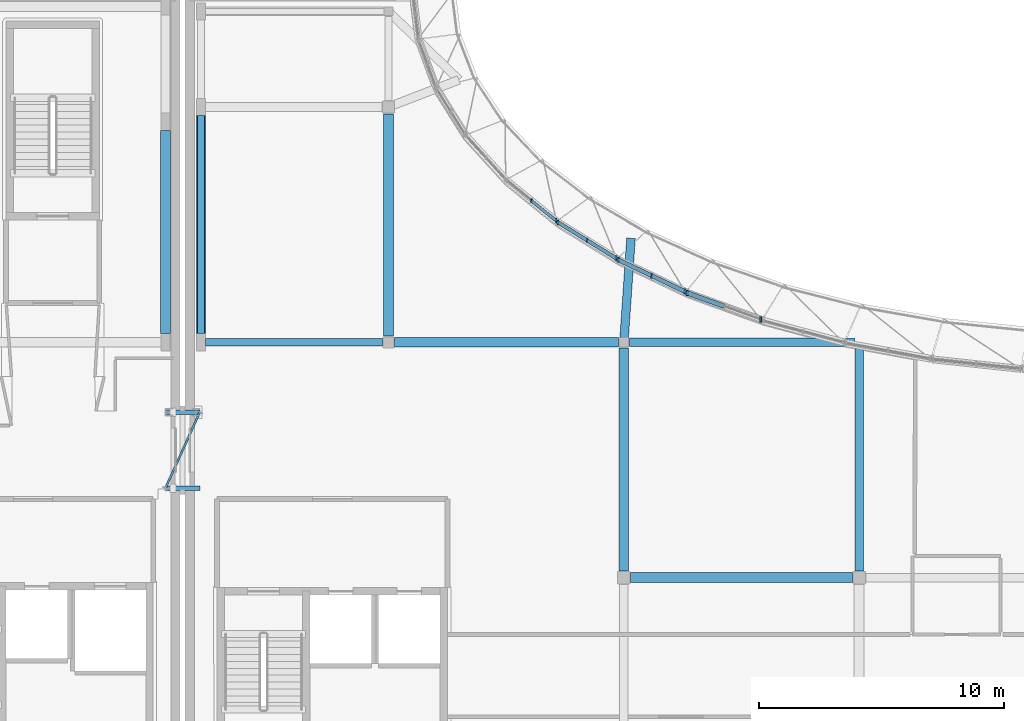
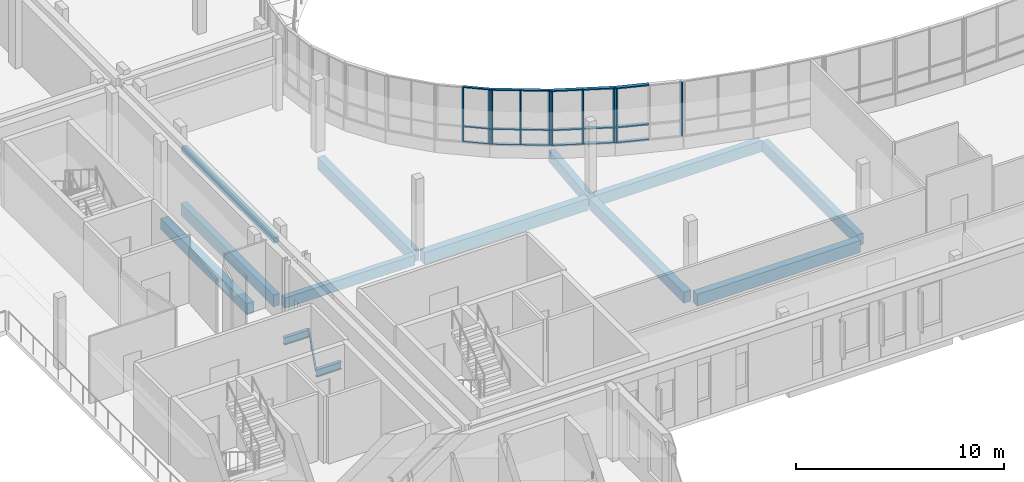
# One storey, part 11 of 84: 29 members, 13 beams, 4 elements without a shape of their own.
"""IFC4 building model written with IfcOpenShell, lengths in metres."""

from ifc_helpers import new_model, si_unit, direction, frame, origin, origin_2d, place, context, subcontext, project, spatial, rectangle, hollow_rectangle, i_section, extrude, material, material_profile, profile_set, type_object, element, aggregate, save


model = new_model("IFC4")

# Units and contexts
model_context = context("Model", 3, precision=1e-05, world=origin(), true_north=direction((0.0, 1.0)))
body_context = subcontext(model_context, "Body", "Model", "MODEL_VIEW")
ifc_project = project(units=[si_unit("LENGTHUNIT", "METRE"), si_unit("AREAUNIT", "SQUARE_METRE"), si_unit("VOLUMEUNIT", "CUBIC_METRE"), si_unit("PLANEANGLEUNIT", "RADIAN"), si_unit("MASSUNIT", "GRAM", prefix="KILO")], contexts=[model_context])

# Site, building, storey
site_placement = place(None, origin())
site = spatial("IfcSite", under=ifc_project, at=site_placement, CompositionType="ELEMENT")
building_placement = place(site_placement, origin())
building = spatial("IfcBuilding", under=site, at=building_placement, Name="Mzevani Central Library", CompositionType="ELEMENT")
storey_placement = place(building_placement, frame((0.0, 0.0, 5.39990234375)))
storey = spatial("IfcBuildingStorey", under=building, at=storey_placement, Name="L01", CompositionType="ELEMENT", Elevation=5.39990234375)

# Beams
ifc_material_1 = material(Name="Concrete C35/45", Category="concrete")
ifc_material_profile_1 = material_profile(ifc_material_1, rectangle(XDim=0.300048828125, YDim=0.60009765625, at=origin_2d()), Name="RC B300x600")
ifc_profile_set_1 = profile_set([ifc_material_profile_1], Name="Concrete C35/45")
beam_type_1 = type_object("IfcBeamType", Name="Beam RC 300x600", PredefinedType="BEAM", material=ifc_profile_set_1)
beam_1_placement = place(storey_placement, frame((46.925048828125, 61.60009765625, -0.559814453125), z_axis=(1.0, 0.0, 0.0), x_axis=(0.0, 1.0, 0.0)))
element("IfcBeam", 1, at=beam_1_placement, inside=storey, type_object=beam_type_1, Name="L01 V1 Girder B-03 (22)", PredefinedType="BEAM", context=body_context, shape_type="SweptSolid", body=[
    extrude(rectangle(XDim=0.300048828125, YDim=0.60009765625, at=origin_2d()), origin(), (0.0, 0.0, 1.0), 7.224853515625),
])
ifc_material_profile_2 = material_profile(ifc_material_1, rectangle(XDim=0.35009765625, YDim=0.64990234375, at=origin_2d()), Name="RC B350x650")
ifc_profile_set_2 = profile_set([ifc_material_profile_2], Name="Concrete C35/45")
beam_type_2 = type_object("IfcBeamType", Name="Beam RC 350x650", PredefinedType="BEAM", material=ifc_profile_set_2)
beam_2_placement = place(storey_placement, frame((64.22509765625, 61.60009765625, -0.5849609375), z_axis=(1.0, 0.0, 0.0), x_axis=(0.0, 1.0, 0.0)))
element("IfcBeam", 2, at=beam_2_placement, inside=storey, type_object=beam_type_2, Name="L01 V1 Girder B-05 (24)", PredefinedType="BEAM", context=body_context, shape_type="SweptSolid", body=[
    extrude(rectangle(XDim=0.35009765625, YDim=0.64990234375, at=origin_2d()), origin(), (0.0, 0.0, 1.0), 9.199951171875),
])
beam_3_placement = place(storey_placement, frame((73.60009765625, 52.27490234375, -0.5849609375), z_axis=(0.0, 1.0, 0.0), x_axis=(-1.0, 0.0, 0.0)))
element("IfcBeam", 3, at=beam_3_placement, inside=storey, type_object=beam_type_2, Name="L01 V1 Frame Beam B-05 (48)", PredefinedType="BEAM", context=body_context, shape_type="SweptSolid", body=[
    extrude(rectangle(XDim=0.35009765625, YDim=0.64990234375, at=origin_2d()), origin(), (0.0, 0.0, 1.0), 9.150146484375),
])
beam_4_placement = place(storey_placement, frame((64.2939453125, 65.843994140625, -0.5849609375), z_axis=(-0.069097528107, -0.997609909539, 0.0), x_axis=(0.997609909539, -0.069097528107, 0.0)))
element("IfcBeam", 4, at=beam_4_placement, inside=storey, type_object=beam_type_2, Name="L01 V1 Court Ring Beam 5", PredefinedType="BEAM", context=body_context, shape_type="SweptSolid", body=[
    extrude(rectangle(XDim=0.35009765625, YDim=0.64990234375, at=origin_2d()), origin(), (0.0, 0.0, 1.0), 4.254150390625),
])
ifc_material_profile_3 = material_profile(ifc_material_1, rectangle(XDim=0.35009765625, YDim=0.699951171875, at=origin_2d()), Name="RC B350x700")
ifc_profile_set_3 = profile_set([ifc_material_profile_3], Name="Concrete C35/45")
beam_type_3 = type_object("IfcBeamType", Name="Beam RC 350x700", PredefinedType="BEAM", material=ifc_profile_set_3)
beam_5_placement = place(storey_placement, frame((46.75, 61.949951171875, -0.60986328125), z_axis=(0.0, 1.0, 0.0), x_axis=(-1.0, 0.0, 0.0)))
element("IfcBeam", 5, at=beam_5_placement, inside=storey, type_object=beam_type_3, Name="L01 V1 Frame Beam B-06 (41)", PredefinedType="BEAM", context=body_context, shape_type="SweptSolid", body=[
    extrude(rectangle(XDim=0.35009765625, YDim=0.699951171875, at=origin_2d()), origin(), (0.0, 0.0, 1.0), 8.900146484375),
])
ifc_material_profile_4 = material_profile(ifc_material_1, rectangle(XDim=0.39990234375, YDim=0.64990234375, at=origin_2d()), Name="RC B400x650")
ifc_profile_set_4 = profile_set([ifc_material_profile_4], Name="Concrete C35/45")
beam_type_4 = type_object("IfcBeamType", Name="Beam RC 400x650", PredefinedType="BEAM", material=ifc_profile_set_4)
beam_6_placement = place(storey_placement, frame((64.0, 52.27490234375, -0.5849609375), z_axis=(0.0, 1.0, 0.0), x_axis=(-1.0, 0.0, 0.0)))
element("IfcBeam", 6, at=beam_6_placement, inside=storey, type_object=beam_type_4, Name="L01 V1 Frame Beam B-07 (46)", PredefinedType="BEAM", context=body_context, shape_type="SweptSolid", body=[
    extrude(rectangle(XDim=0.39990234375, YDim=0.64990234375, at=origin_2d()), origin(), (0.0, 0.0, 1.0), 9.10009765625),
])
beam_7_placement = place(storey_placement, frame((45.300048828125, 61.949951171875, -0.5849609375), z_axis=(0.0, 1.0, 0.0), x_axis=(-1.0, 0.0, 0.0)))
element("IfcBeam", 7, at=beam_7_placement, inside=storey, type_object=beam_type_4, Name="L01 V5 Frame Beam B-07 (970)", PredefinedType="BEAM", context=body_context, shape_type="SweptSolid", body=[
    extrude(rectangle(XDim=0.39990234375, YDim=0.64990234375, at=origin_2d()), origin(), (0.0, 0.0, 1.0), 8.300048828125),
])
ifc_material_profile_5 = material_profile(ifc_material_1, rectangle(XDim=0.39990234375, YDim=0.699951171875, at=origin_2d()), Name="RC B400x700")
ifc_profile_set_5 = profile_set([ifc_material_profile_5], Name="Concrete C35/45")
beam_type_5 = type_object("IfcBeamType", Name="Beam RC 400x700", PredefinedType="BEAM", material=ifc_profile_set_5)
beam_8_placement = place(storey_placement, frame((64.27490234375, 52.0, -0.60986328125), z_axis=(1.0, 0.0, 0.0), x_axis=(0.0, 1.0, 0.0)))
element("IfcBeam", 8, at=beam_8_placement, inside=storey, type_object=beam_type_5, Name="L01 V1 Girder B-08 (15)", PredefinedType="BEAM", context=body_context, shape_type="SweptSolid", body=[
    extrude(rectangle(XDim=0.39990234375, YDim=0.699951171875, at=origin_2d()), origin(), (0.0, 0.0, 1.0), 9.050048828125),
])
beam_9_placement = place(storey_placement, frame((54.64990234375, 61.60009765625, -0.60986328125), z_axis=(1.0, 0.0, 0.0), x_axis=(0.0, 1.0, 0.0)))
element("IfcBeam", 9, at=beam_9_placement, inside=storey, type_object=beam_type_5, Name="L01 V1 Girder B-08 (23)", PredefinedType="BEAM", context=body_context, shape_type="SweptSolid", body=[
    extrude(rectangle(XDim=0.39990234375, YDim=0.699951171875, at=origin_2d()), origin(), (0.0, 0.0, 1.0), 9.125),
])
beam_10_placement = place(storey_placement, frame((54.39990234375, 61.85009765625, -0.60986328125), z_axis=(0.0, 1.0, 0.0), x_axis=(-1.0, 0.0, 0.0)))
element("IfcBeam", 10, at=beam_10_placement, inside=storey, type_object=beam_type_5, Name="L01 V1 Frame Beam B-08 (43)", PredefinedType="BEAM", context=body_context, shape_type="SweptSolid", body=[
    extrude(rectangle(XDim=0.39990234375, YDim=0.699951171875, at=origin_2d()), origin(), (0.0, 0.0, 1.0), 9.074951171875),
])
ifc_material_2 = material(Name="Steel S355J2", Category="steel")
ifc_material_profile_6 = material_profile(ifc_material_2, i_section(OverallWidth=0.18994140625, OverallDepth=0.449951171875, WebThickness=0.009521484375, FlangeThickness=0.0146484375, FilletRadius=0.02099609375, at=origin_2d()), Name="IPE 450")
ifc_profile_set_6 = profile_set([ifc_material_profile_6], Name="Steel S355J2")
beam_type_6 = type_object("IfcBeamType", Name="Bridge Primary Girder IPE 450", PredefinedType="BEAM", material=ifc_profile_set_6)
for number, where, z_axis, x_axis, name in (
    (11, (45.300048828125, 55.64990234375, -0.5498046875), (1.0, 0.0, 0.0), (0.0, 1.0, 0.0), "L01 West Reading Seismic Passage L01 Girder 1"),
    (12, (45.300048828125, 58.75, -0.5498046875), (1.0, 0.0, 0.0), (0.0, 1.0, 0.0), "L01 West Reading Seismic Passage L01 Girder 2"),
):
    element("IfcBeam", number, at=place(storey_placement, frame(where, z_axis=z_axis, x_axis=x_axis)), inside=storey, type_object=beam_type_6, Name=name, PredefinedType="BEAM", context=body_context, shape_type="SweptSolid", body=[
        extrude(i_section(OverallWidth=0.18994140625, OverallDepth=0.449951171875, WebThickness=0.009521484375, FlangeThickness=0.0146484375, FilletRadius=0.02099609375, at=origin_2d()), origin(), (0.0, 0.0, 1.0), 1.39990234375),
    ])

# Member
ifc_material_profile_7 = material_profile(ifc_material_2, hollow_rectangle(XDim=0.080078125, YDim=0.159912109375, WallThickness=0.008056640625, at=origin_2d()), Name="RHS 160x80x8.0")
ifc_profile_set_7 = profile_set([ifc_material_profile_7], Name="Steel S355J2")
member_type_1 = type_object("IfcMemberType", Name="Bridge Truss Chord RHS 160x80", PredefinedType="CHORD", material=ifc_profile_set_7)
member_1_placement = place(storey_placement, frame((45.300048828125, 55.64990234375, -0.3798828125), z_axis=(0.411552106839, 0.911386231713, 0.0), x_axis=(-0.911386231713, 0.411552106839, 0.0)))
element("IfcMember", 13, at=member_1_placement, inside=storey, type_object=member_type_1, Name="L01 West Reading Seismic Passage L01 Diaphragm Chord", PredefinedType="CHORD", context=body_context, shape_type="SweptSolid", body=[
    extrude(hollow_rectangle(XDim=0.080078125, YDim=0.159912109375, WallThickness=0.008056640625, at=origin_2d()), origin(), (0.0, 0.0, 1.0), 3.401611328125),
])

# Curtain wall, members
ifc_material_3 = material(Name="Thermally broken aluminium and Low-E triple glazing", Category="aluminium")
curtain_wall_type_1 = type_object("IfcCurtainWallType", Name="Elliptical Court Unitised Curtain Wall", PredefinedType="NOTDEFINED", material=ifc_material_3)
curtain_wall_1_placement = place(storey_placement, origin())
curtain_wall_1 = element("IfcCurtainWall", 14, at=curtain_wall_1_placement, inside=storey, type_object=curtain_wall_type_1, Name="L01 Elliptical Court Curtain Wall 29", PredefinedType="NOTDEFINED")
ifc_material_4 = material(Name="Thermally broken aluminium AW-6060", Category="aluminium")
ifc_material_profile_8 = material_profile(ifc_material_4, rectangle(XDim=0.06005859375, YDim=0.159912109375, at=origin_2d()), Name="ALU M60x160")
ifc_profile_set_8 = profile_set([ifc_material_profile_8], Name="Thermally broken aluminium AW-6060")
member_type_2 = type_object("IfcMemberType", Name="CW Mullion 60x160", PredefinedType="MULLION", material=ifc_profile_set_8)
member_2_placement = place(storey_placement, frame((60.22998046875, 67.380615234375, 0.72021484375), z_axis=(0.0, 0.0, 1.0), x_axis=(1.0, 0.0, 0.0)))
member_2 = element("IfcMember", 15, at=member_2_placement, type_object=member_type_2, Name="L01 Elliptical Court Curtain Wall 29 Mullion 2", PredefinedType="MULLION", context=body_context, shape_type="SweptSolid", body=[
    extrude(rectangle(XDim=0.06005859375, YDim=0.159912109375, at=origin_2d()), origin(), (0.0, 0.0, 1.0), 3.199951171875),
])
member_3_placement = place(storey_placement, frame((61.22314453125, 66.57421875, 0.72021484375), z_axis=(0.0, 0.0, 1.0), x_axis=(1.0, 0.0, 0.0)))
member_3 = element("IfcMember", 16, at=member_3_placement, type_object=member_type_2, Name="L01 Elliptical Court Curtain Wall 29 Mullion 3", PredefinedType="MULLION", context=body_context, shape_type="SweptSolid", body=[
    extrude(rectangle(XDim=0.06005859375, YDim=0.159912109375, at=origin_2d()), origin(), (0.0, 0.0, 1.0), 3.199951171875),
])

curtain_wall_2_placement = place(storey_placement, origin())
curtain_wall_2 = element("IfcCurtainWall", 17, at=curtain_wall_2_placement, inside=storey, type_object=curtain_wall_type_1, Name="L01 Elliptical Court Curtain Wall 30", PredefinedType="NOTDEFINED")
ifc_material_profile_9 = material_profile(ifc_material_4, rectangle(XDim=0.06005859375, YDim=0.179931640625, at=origin_2d()), Name="ALU M60x180")
ifc_profile_set_9 = profile_set([ifc_material_profile_9], Name="Thermally broken aluminium AW-6060")
member_type_3 = type_object("IfcMemberType", Name="CW Mullion 60x180", PredefinedType="MULLION", material=ifc_profile_set_9)
member_4_placement = place(storey_placement, frame((61.3125, 66.49658203125, 0.72021484375), z_axis=(0.0, 0.0, 1.0), x_axis=(1.0, 0.0, 0.0)))
member_4 = element("IfcMember", 18, at=member_4_placement, type_object=member_type_3, Name="L01 Elliptical Court Curtain Wall 30 Mullion 1", PredefinedType="MULLION", context=body_context, shape_type="SweptSolid", body=[
    extrude(rectangle(XDim=0.06005859375, YDim=0.179931640625, at=origin_2d()), origin(), (0.0, 0.0, 1.0), 3.199951171875),
])
member_5_placement = place(storey_placement, frame((62.494873046875, 65.76513671875, 0.72021484375), z_axis=(0.0, 0.0, 1.0), x_axis=(1.0, 0.0, 0.0)))
member_5 = element("IfcMember", 19, at=member_5_placement, type_object=member_type_3, Name="L01 Elliptical Court Curtain Wall 30 Mullion 2", PredefinedType="MULLION", context=body_context, shape_type="SweptSolid", body=[
    extrude(rectangle(XDim=0.06005859375, YDim=0.179931640625, at=origin_2d()), origin(), (0.0, 0.0, 1.0), 3.199951171875),
])
member_6_placement = place(storey_placement, frame((63.677001953125, 65.03369140625, 0.72021484375), z_axis=(0.0, 0.0, 1.0), x_axis=(1.0, 0.0, 0.0)))
member_6 = element("IfcMember", 20, at=member_6_placement, type_object=member_type_3, Name="L01 Elliptical Court Curtain Wall 30 Mullion 3", PredefinedType="MULLION", context=body_context, shape_type="SweptSolid", body=[
    extrude(rectangle(XDim=0.06005859375, YDim=0.179931640625, at=origin_2d()), origin(), (0.0, 0.0, 1.0), 3.199951171875),
])

curtain_wall_type_2 = type_object("IfcCurtainWallType", Name="Reading Hall Northlight Curtain Wall", PredefinedType="NOTDEFINED", material=ifc_material_3)
curtain_wall_3_placement = place(storey_placement, origin())
curtain_wall_3 = element("IfcCurtainWall", 21, at=curtain_wall_3_placement, inside=storey, type_object=curtain_wall_type_2, Name="L01 Elliptical Court Curtain Wall 31", PredefinedType="NOTDEFINED")
ifc_material_profile_10 = material_profile(ifc_material_4, rectangle(XDim=0.06494140625, YDim=0.199951171875, at=origin_2d()), Name="ALU M65x200")
ifc_profile_set_10 = profile_set([ifc_material_profile_10], Name="Thermally broken aluminium AW-6060")
member_type_4 = type_object("IfcMemberType", Name="CW Mullion 65x200", PredefinedType="MULLION", material=ifc_profile_set_10)
member_7_placement = place(storey_placement, frame((63.7763671875, 64.964599609375, 0.72021484375), z_axis=(0.0, 0.0, 1.0), x_axis=(1.0, 0.0, 0.0)))
member_7 = element("IfcMember", 22, at=member_7_placement, type_object=member_type_4, Name="L01 Elliptical Court Curtain Wall 31 Mullion 1", PredefinedType="MULLION", context=body_context, shape_type="SweptSolid", body=[
    extrude(rectangle(XDim=0.06494140625, YDim=0.199951171875, at=origin_2d()), origin(), (0.0, 0.0, 1.0), 3.199951171875),
])
member_8_placement = place(storey_placement, frame((65.127685546875, 64.321533203125, 0.72021484375), z_axis=(0.0, 0.0, 1.0), x_axis=(1.0, 0.0, 0.0)))
member_8 = element("IfcMember", 23, at=member_8_placement, type_object=member_type_4, Name="L01 Elliptical Court Curtain Wall 31 Mullion 2", PredefinedType="MULLION", context=body_context, shape_type="SweptSolid", body=[
    extrude(rectangle(XDim=0.06494140625, YDim=0.199951171875, at=origin_2d()), origin(), (0.0, 0.0, 1.0), 3.199951171875),
])
member_9_placement = place(storey_placement, frame((66.47900390625, 63.67822265625, 0.72021484375), z_axis=(0.0, 0.0, 1.0), x_axis=(1.0, 0.0, 0.0)))
member_9 = element("IfcMember", 24, at=member_9_placement, type_object=member_type_4, Name="L01 Elliptical Court Curtain Wall 31 Mullion 3", PredefinedType="MULLION", context=body_context, shape_type="SweptSolid", body=[
    extrude(rectangle(XDim=0.06494140625, YDim=0.199951171875, at=origin_2d()), origin(), (0.0, 0.0, 1.0), 3.199951171875),
])

curtain_wall_4_placement = place(storey_placement, origin())
curtain_wall_4 = element("IfcCurtainWall", 25, at=curtain_wall_4_placement, inside=storey, type_object=curtain_wall_type_1, Name="L01 Elliptical Court Curtain Wall 32", PredefinedType="NOTDEFINED")
ifc_material_profile_11 = material_profile(ifc_material_4, rectangle(XDim=0.070068359375, YDim=0.219970703125, at=origin_2d()), Name="ALU M70x220")
ifc_profile_set_11 = profile_set([ifc_material_profile_11], Name="Thermally broken aluminium AW-6060")
member_type_5 = type_object("IfcMemberType", Name="CW Mullion 70x220", PredefinedType="MULLION", material=ifc_profile_set_11)
member_10_placement = place(storey_placement, frame((66.58740234375, 63.616943359375, 0.72021484375), z_axis=(0.0, 0.0, 1.0), x_axis=(1.0, 0.0, 0.0)))
member_10 = element("IfcMember", 26, at=member_10_placement, type_object=member_type_5, Name="L01 Elliptical Court Curtain Wall 32 Mullion 1", PredefinedType="MULLION", context=body_context, shape_type="SweptSolid", body=[
    extrude(rectangle(XDim=0.070068359375, YDim=0.219970703125, at=origin_2d()), origin(), (0.0, 0.0, 1.0), 3.199951171875),
])
member_11_placement = place(storey_placement, frame((69.582275390625, 62.531005859375, 0.72021484375), z_axis=(0.0, 0.0, 1.0), x_axis=(1.0, 0.0, 0.0)))
member_11 = element("IfcMember", 27, at=member_11_placement, type_object=member_type_5, Name="L01 Elliptical Court Curtain Wall 32 Mullion 3", PredefinedType="MULLION", context=body_context, shape_type="SweptSolid", body=[
    extrude(rectangle(XDim=0.070068359375, YDim=0.219970703125, at=origin_2d()), origin(), (0.0, 0.0, 1.0), 3.199951171875),
])

# Member
ifc_material_profile_12 = material_profile(ifc_material_4, rectangle(XDim=0.1298828125, YDim=0.06005859375, at=origin_2d()), Name="ALU T60x130")
ifc_profile_set_12 = profile_set([ifc_material_profile_12], Name="Thermally broken aluminium AW-6060")
member_type_6 = type_object("IfcMemberType", Name="CW Transom 60x130", PredefinedType="USERDEFINED", material=ifc_profile_set_12)
member_12_placement = place(storey_placement, frame((60.22998046875, 67.380615234375, 0.72021484375), z_axis=(0.776243179452, -0.63043360186, 0.0), x_axis=(0.63043360186, 0.776243179452, 0.0)))
member_12 = element("IfcMember", 28, at=member_12_placement, type_object=member_type_6, Name="L01 Elliptical Court Curtain Wall 29 Transom 4", ObjectType="TRANSOM", PredefinedType="USERDEFINED", context=body_context, shape_type="SweptSolid", body=[
    extrude(rectangle(XDim=0.1298828125, YDim=0.06005859375, at=origin_2d()), origin(), (0.0, 0.0, 1.0), 1.329345703125),
])

member_13_placement = place(storey_placement, frame((60.22998046875, 67.380615234375, 1.6201171875), z_axis=(0.776243179452, -0.63043360186, 0.0), x_axis=(0.63043360186, 0.776243179452, 0.0)))
member_13 = element("IfcMember", 29, at=member_13_placement, type_object=member_type_6, Name="L01 Elliptical Court Curtain Wall 29 Transom 5", ObjectType="TRANSOM", PredefinedType="USERDEFINED", context=body_context, shape_type="SweptSolid", body=[
    extrude(rectangle(XDim=0.1298828125, YDim=0.06005859375, at=origin_2d()), origin(), (0.0, 0.0, 1.0), 1.329345703125),
])

member_14_placement = place(storey_placement, frame((60.22998046875, 67.380615234375, 3.920166015625), z_axis=(0.776243179452, -0.63043360186, 0.0), x_axis=(0.63043360186, 0.776243179452, 0.0)))
member_14 = element("IfcMember", 30, at=member_14_placement, type_object=member_type_6, Name="L01 Elliptical Court Curtain Wall 29 Transom 6", ObjectType="TRANSOM", PredefinedType="USERDEFINED", context=body_context, shape_type="SweptSolid", body=[
    extrude(rectangle(XDim=0.1298828125, YDim=0.06005859375, at=origin_2d()), origin(), (0.0, 0.0, 1.0), 1.329345703125),
])

aggregate(curtain_wall_1, [member_2, member_3, member_12, member_13, member_14])

ifc_material_profile_13 = material_profile(ifc_material_4, rectangle(XDim=0.14990234375, YDim=0.06005859375, at=origin_2d()), Name="ALU T60x150")
ifc_profile_set_13 = profile_set([ifc_material_profile_13], Name="Thermally broken aluminium AW-6060")
member_type_7 = type_object("IfcMemberType", Name="CW Transom 60x150", PredefinedType="USERDEFINED", material=ifc_profile_set_13)
member_15_placement = place(storey_placement, frame((61.27001953125, 66.52294921875, 0.72021484375), z_axis=(0.850398776908, -0.526138689162, 0.0), x_axis=(0.526138689162, 0.850398776908, 0.0)))
member_15 = element("IfcMember", 31, at=member_15_placement, type_object=member_type_7, Name="L01 Elliptical Court Curtain Wall 30 Transom 1", ObjectType="TRANSOM", PredefinedType="USERDEFINED", context=body_context, shape_type="SweptSolid", body=[
    extrude(rectangle(XDim=0.14990234375, YDim=0.06005859375, at=origin_2d()), origin(), (0.0, 0.0, 1.0), 1.4404296875),
])

member_16_placement = place(storey_placement, frame((61.27001953125, 66.52294921875, 1.6201171875), z_axis=(0.850398776908, -0.526138689162, 0.0), x_axis=(0.526138689162, 0.850398776908, 0.0)))
member_16 = element("IfcMember", 32, at=member_16_placement, type_object=member_type_7, Name="L01 Elliptical Court Curtain Wall 30 Transom 2", ObjectType="TRANSOM", PredefinedType="USERDEFINED", context=body_context, shape_type="SweptSolid", body=[
    extrude(rectangle(XDim=0.14990234375, YDim=0.06005859375, at=origin_2d()), origin(), (0.0, 0.0, 1.0), 1.4404296875),
])

member_17_placement = place(storey_placement, frame((61.27001953125, 66.52294921875, 3.920166015625), z_axis=(0.850398776908, -0.526138689162, 0.0), x_axis=(0.526138689162, 0.850398776908, 0.0)))
member_17 = element("IfcMember", 33, at=member_17_placement, type_object=member_type_7, Name="L01 Elliptical Court Curtain Wall 30 Transom 3", ObjectType="TRANSOM", PredefinedType="USERDEFINED", context=body_context, shape_type="SweptSolid", body=[
    extrude(rectangle(XDim=0.14990234375, YDim=0.06005859375, at=origin_2d()), origin(), (0.0, 0.0, 1.0), 1.4404296875),
])

member_18_placement = place(storey_placement, frame((62.494873046875, 65.76513671875, 0.72021484375), z_axis=(0.850351844492, -0.526214538538, 0.0), x_axis=(0.526214538538, 0.850351844492, 0.0)))
member_18 = element("IfcMember", 34, at=member_18_placement, type_object=member_type_7, Name="L01 Elliptical Court Curtain Wall 30 Transom 4", ObjectType="TRANSOM", PredefinedType="USERDEFINED", context=body_context, shape_type="SweptSolid", body=[
    extrude(rectangle(XDim=0.14990234375, YDim=0.06005859375, at=origin_2d()), origin(), (0.0, 0.0, 1.0), 1.440185546875),
])

member_19_placement = place(storey_placement, frame((62.494873046875, 65.76513671875, 1.6201171875), z_axis=(0.850351844492, -0.526214538538, 0.0), x_axis=(0.526214538538, 0.850351844492, 0.0)))
member_19 = element("IfcMember", 35, at=member_19_placement, type_object=member_type_7, Name="L01 Elliptical Court Curtain Wall 30 Transom 5", ObjectType="TRANSOM", PredefinedType="USERDEFINED", context=body_context, shape_type="SweptSolid", body=[
    extrude(rectangle(XDim=0.14990234375, YDim=0.06005859375, at=origin_2d()), origin(), (0.0, 0.0, 1.0), 1.440185546875),
])

member_20_placement = place(storey_placement, frame((62.494873046875, 65.76513671875, 3.920166015625), z_axis=(0.850351844492, -0.526214538538, 0.0), x_axis=(0.526214538538, 0.850351844492, 0.0)))
member_20 = element("IfcMember", 36, at=member_20_placement, type_object=member_type_7, Name="L01 Elliptical Court Curtain Wall 30 Transom 6", ObjectType="TRANSOM", PredefinedType="USERDEFINED", context=body_context, shape_type="SweptSolid", body=[
    extrude(rectangle(XDim=0.14990234375, YDim=0.06005859375, at=origin_2d()), origin(), (0.0, 0.0, 1.0), 1.440185546875),
])

aggregate(curtain_wall_2, [member_4, member_5, member_6, member_15, member_16, member_17, member_18, member_19, member_20])

ifc_material_profile_14 = material_profile(ifc_material_4, rectangle(XDim=0.169921875, YDim=0.06494140625, at=origin_2d()), Name="ALU T65x170")
ifc_profile_set_14 = profile_set([ifc_material_profile_14], Name="Thermally broken aluminium AW-6060")
member_type_8 = type_object("IfcMemberType", Name="CW Transom 65x170", PredefinedType="USERDEFINED", material=ifc_profile_set_14)
member_21_placement = place(storey_placement, frame((63.731201171875, 64.986083984375, 0.72021484375), z_axis=(0.902971371622, -0.42970071216, 0.0), x_axis=(0.42970071216, 0.902971371622, 0.0)))
member_21 = element("IfcMember", 37, at=member_21_placement, type_object=member_type_8, Name="L01 Elliptical Court Curtain Wall 31 Transom 1", ObjectType="TRANSOM", PredefinedType="USERDEFINED", context=body_context, shape_type="SweptSolid", body=[
    extrude(rectangle(XDim=0.169921875, YDim=0.06494140625, at=origin_2d()), origin(), (0.0, 0.0, 1.0), 1.546630859375),
])

member_22_placement = place(storey_placement, frame((63.731201171875, 64.986083984375, 1.6201171875), z_axis=(0.902971371622, -0.42970071216, 0.0), x_axis=(0.42970071216, 0.902971371622, 0.0)))
member_22 = element("IfcMember", 38, at=member_22_placement, type_object=member_type_8, Name="L01 Elliptical Court Curtain Wall 31 Transom 2", ObjectType="TRANSOM", PredefinedType="USERDEFINED", context=body_context, shape_type="SweptSolid", body=[
    extrude(rectangle(XDim=0.169921875, YDim=0.06494140625, at=origin_2d()), origin(), (0.0, 0.0, 1.0), 1.546630859375),
])

member_23_placement = place(storey_placement, frame((63.731201171875, 64.986083984375, 3.920166015625), z_axis=(0.902971371622, -0.42970071216, 0.0), x_axis=(0.42970071216, 0.902971371622, 0.0)))
member_23 = element("IfcMember", 39, at=member_23_placement, type_object=member_type_8, Name="L01 Elliptical Court Curtain Wall 31 Transom 3", ObjectType="TRANSOM", PredefinedType="USERDEFINED", context=body_context, shape_type="SweptSolid", body=[
    extrude(rectangle(XDim=0.169921875, YDim=0.06494140625, at=origin_2d()), origin(), (0.0, 0.0, 1.0), 1.546630859375),
])

member_24_placement = place(storey_placement, frame((65.127685546875, 64.321533203125, 0.72021484375), z_axis=(0.902910114925, -0.429829413101, 0.0), x_axis=(0.429829413101, 0.902910114925, 0.0)))
member_24 = element("IfcMember", 40, at=member_24_placement, type_object=member_type_8, Name="L01 Elliptical Court Curtain Wall 31 Transom 4", ObjectType="TRANSOM", PredefinedType="USERDEFINED", context=body_context, shape_type="SweptSolid", body=[
    extrude(rectangle(XDim=0.169921875, YDim=0.06494140625, at=origin_2d()), origin(), (0.0, 0.0, 1.0), 1.546630859375),
])

member_25_placement = place(storey_placement, frame((65.127685546875, 64.321533203125, 1.6201171875), z_axis=(0.902910114925, -0.429829413101, 0.0), x_axis=(0.429829413101, 0.902910114925, 0.0)))
member_25 = element("IfcMember", 41, at=member_25_placement, type_object=member_type_8, Name="L01 Elliptical Court Curtain Wall 31 Transom 5", ObjectType="TRANSOM", PredefinedType="USERDEFINED", context=body_context, shape_type="SweptSolid", body=[
    extrude(rectangle(XDim=0.169921875, YDim=0.06494140625, at=origin_2d()), origin(), (0.0, 0.0, 1.0), 1.546630859375),
])

member_26_placement = place(storey_placement, frame((65.127685546875, 64.321533203125, 3.920166015625), z_axis=(0.902910114925, -0.429829413101, 0.0), x_axis=(0.429829413101, 0.902910114925, 0.0)))
member_26 = element("IfcMember", 42, at=member_26_placement, type_object=member_type_8, Name="L01 Elliptical Court Curtain Wall 31 Transom 6", ObjectType="TRANSOM", PredefinedType="USERDEFINED", context=body_context, shape_type="SweptSolid", body=[
    extrude(rectangle(XDim=0.169921875, YDim=0.06494140625, at=origin_2d()), origin(), (0.0, 0.0, 1.0), 1.546630859375),
])

aggregate(curtain_wall_3, [member_7, member_8, member_9, member_21, member_22, member_23, member_24, member_25, member_26])

ifc_material_profile_15 = material_profile(ifc_material_4, rectangle(XDim=0.18994140625, YDim=0.070068359375, at=origin_2d()), Name="ALU T70x190")
ifc_profile_set_15 = profile_set([ifc_material_profile_15], Name="Thermally broken aluminium AW-6060")
member_type_9 = type_object("IfcMemberType", Name="CW Transom 70x190", PredefinedType="USERDEFINED", material=ifc_profile_set_15)
member_27_placement = place(storey_placement, frame((66.540283203125, 63.6337890625, 0.72021484375), z_axis=(0.940144397718, -0.340776336384, 0.0), x_axis=(0.340776336384, 0.940144397718, 0.0)))
member_27 = element("IfcMember", 43, at=member_27_placement, type_object=member_type_9, Name="L01 Elliptical Court Curtain Wall 32 Transom 1", ObjectType="TRANSOM", PredefinedType="USERDEFINED", context=body_context, shape_type="SweptSolid", body=[
    extrude(rectangle(XDim=0.18994140625, YDim=0.070068359375, at=origin_2d()), origin(), (0.0, 0.0, 1.0), 1.642822265625),
])

member_28_placement = place(storey_placement, frame((66.540283203125, 63.6337890625, 1.6201171875), z_axis=(0.940144397718, -0.340776336384, 0.0), x_axis=(0.340776336384, 0.940144397718, 0.0)))
member_28 = element("IfcMember", 44, at=member_28_placement, type_object=member_type_9, Name="L01 Elliptical Court Curtain Wall 32 Transom 2", ObjectType="TRANSOM", PredefinedType="USERDEFINED", context=body_context, shape_type="SweptSolid", body=[
    extrude(rectangle(XDim=0.18994140625, YDim=0.070068359375, at=origin_2d()), origin(), (0.0, 0.0, 1.0), 1.642822265625),
])

member_29_placement = place(storey_placement, frame((66.540283203125, 63.6337890625, 3.920166015625), z_axis=(0.940144397718, -0.340776336384, 0.0), x_axis=(0.340776336384, 0.940144397718, 0.0)))
member_29 = element("IfcMember", 45, at=member_29_placement, type_object=member_type_9, Name="L01 Elliptical Court Curtain Wall 32 Transom 3", ObjectType="TRANSOM", PredefinedType="USERDEFINED", context=body_context, shape_type="SweptSolid", body=[
    extrude(rectangle(XDim=0.18994140625, YDim=0.070068359375, at=origin_2d()), origin(), (0.0, 0.0, 1.0), 1.642822265625),
])

aggregate(curtain_wall_4, [member_10, member_11, member_27, member_28, member_29])

# Beam
ifc_material_5 = material(Name="Precast concrete C40/50", Category="concrete")
ifc_material_profile_16 = material_profile(ifc_material_5, rectangle(XDim=0.280029296875, YDim=0.320068359375, at=origin_2d()), Name="PC LN280x320")
ifc_profile_set_16 = profile_set([ifc_material_profile_16], Name="Precast concrete C40/50")
beam_type_7 = type_object("IfcBeamType", Name="Precast Window Lintel 280x320", PredefinedType="LINTEL", material=ifc_profile_set_16)
beam_11_placement = place(storey_placement, frame((46.75, 61.949951171875, 2.91015625), z_axis=(0.0, 1.0, 0.0), x_axis=(-1.0, 0.0, 0.0)))
element("IfcBeam", 46, at=beam_11_placement, inside=storey, type_object=beam_type_7, Name="L01 V1 Precast Portal Lintel (15)", PredefinedType="LINTEL", context=body_context, shape_type="SweptSolid", body=[
    extrude(rectangle(XDim=0.280029296875, YDim=0.320068359375, at=origin_2d()), origin(), (0.0, 0.0, 1.0), 8.900146484375),
])

save(model, "model.ifc")
